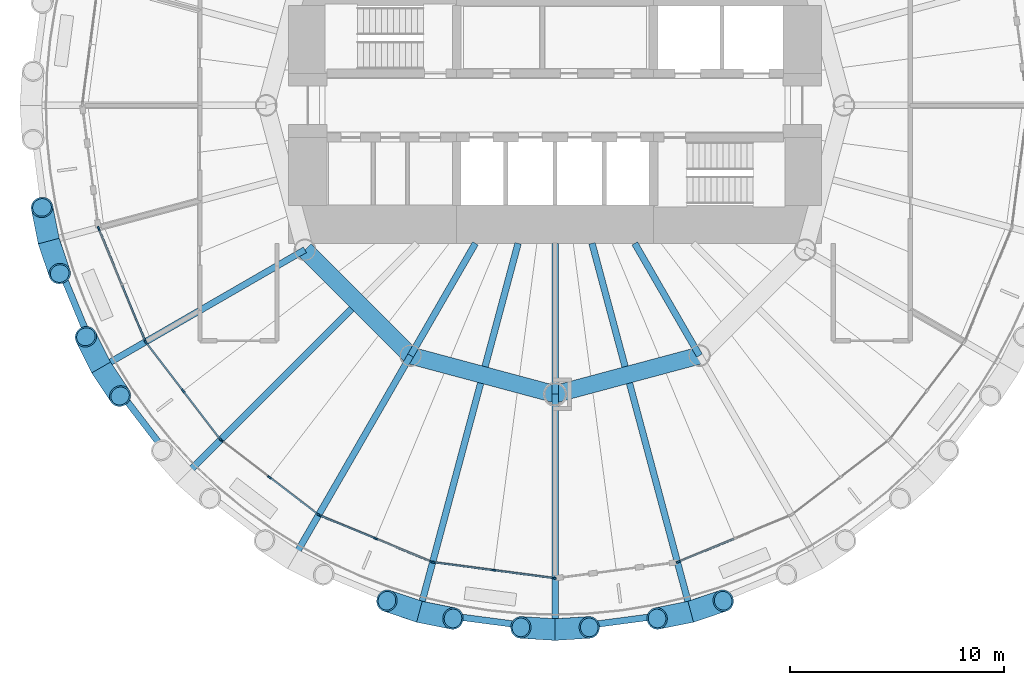
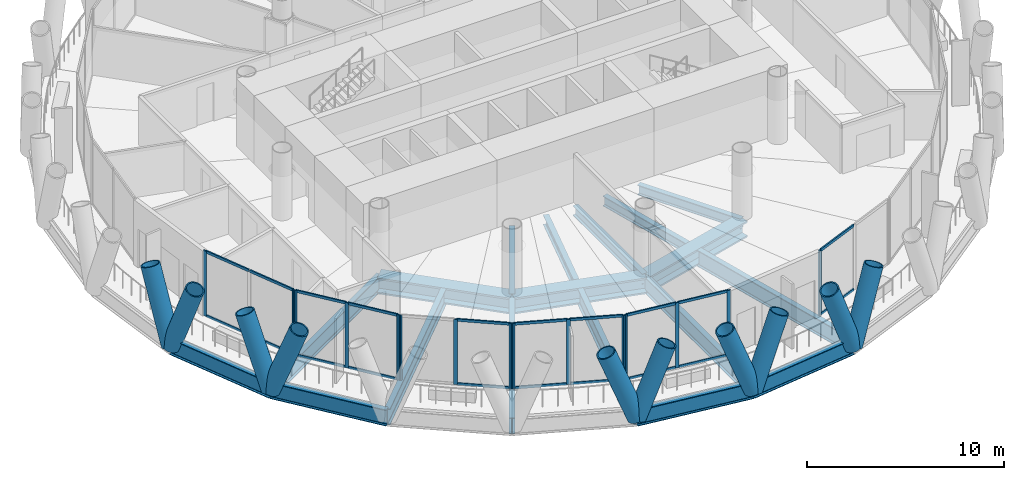
# One storey, part 2 of 15: 45 members, 18 beams, 6 elements without a shape of their own.
"""IFC4 building model written with IfcOpenShell, lengths in metres."""

from ifc_helpers import new_model, si_unit, direction, frame, origin, origin_2d, place, context, subcontext, project, spatial, rectangle, hollow_circle, i_section, extrude, material, material_profile, profile_set, type_object, element, aggregate, save


model = new_model("IFC4")

# Units and contexts
model_context = context("Model", 3, precision=1e-05, world=origin(), true_north=direction((0.0, 1.0)))
body_context = subcontext(model_context, "Body", "Model", "MODEL_VIEW")
ifc_project = project(units=[si_unit("LENGTHUNIT", "METRE"), si_unit("AREAUNIT", "SQUARE_METRE"), si_unit("VOLUMEUNIT", "CUBIC_METRE"), si_unit("PLANEANGLEUNIT", "RADIAN"), si_unit("MASSUNIT", "GRAM", prefix="KILO")], contexts=[model_context])

# Site, building, storey
site_placement = place(None, origin())
site = spatial("IfcSite", under=ifc_project, at=site_placement, CompositionType="ELEMENT")
building_placement = place(site_placement, origin())
building = spatial("IfcBuilding", under=site, at=building_placement, Name="Qaws Media Tower", CompositionType="ELEMENT")
storey_placement = place(building_placement, frame((0.0, 0.0, 177.199951171875)))
storey = spatial("IfcBuildingStorey", under=building, at=storey_placement, Name="L40", CompositionType="ELEMENT", Elevation=177.199951171875)

# Curtain wall, members
ifc_material_1 = material(Name="Aluminium and clear glass", Category="aluminium")
curtain_wall_type = type_object("IfcCurtainWallType", Name="Unitised curtain wall CW-B", PredefinedType="NOTDEFINED", material=ifc_material_1)
curtain_wall_1_placement = place(storey_placement, origin())
curtain_wall_1 = element("IfcCurtainWall", 1, at=curtain_wall_1_placement, inside=storey, type_object=curtain_wall_type, Name="CWB curtain wall L40-14", PredefinedType="NOTDEFINED")
ifc_material_2 = material(Name="Aluminium mullion", Category="aluminium")
ifc_material_profile_1 = material_profile(ifc_material_2, rectangle(XDim=0.080078125, YDim=0.199951171875, at=origin_2d()), Name="80x200")
ifc_profile_set_1 = profile_set([ifc_material_profile_1], Name="Aluminium mullion")
member_type_1 = type_object("IfcMemberType", Name="Curtain wall mullion 80x200", PredefinedType="MULLION", material=ifc_profile_set_1)
member_1_placement = place(storey_placement, frame((38.66845703125, 44.2431640625, 0.0), z_axis=(0.0, 0.0, 1.0), x_axis=(0.923879489284, 0.382683536724, 0.0)))
member_1 = element("IfcMember", 2, at=member_1_placement, type_object=member_type_1, Name="CWB mullion 1", PredefinedType="MULLION", context=body_context, shape_type="SweptSolid", body=[
    extrude(rectangle(XDim=0.080078125, YDim=0.199951171875, at=origin_2d()), origin(), (0.0, 0.0, 1.0), 4.0400390625),
])
member_2_placement = place(storey_placement, frame((40.845458984375, 38.987060546875, 0.0), z_axis=(0.0, 0.0, 1.0), x_axis=(0.923879489284, 0.382683536724, 0.0)))
member_2 = element("IfcMember", 3, at=member_2_placement, type_object=member_type_1, Name="CWB mullion 3", PredefinedType="MULLION", context=body_context, shape_type="SweptSolid", body=[
    extrude(rectangle(XDim=0.080078125, YDim=0.199951171875, at=origin_2d()), origin(), (0.0, 0.0, 1.0), 4.0400390625),
])

curtain_wall_2_placement = place(storey_placement, origin())
curtain_wall_2 = element("IfcCurtainWall", 4, at=curtain_wall_2_placement, inside=storey, type_object=curtain_wall_type, Name="CWB curtain wall L40-15", PredefinedType="NOTDEFINED")
member_3_placement = place(storey_placement, frame((40.88525390625, 38.918212890625, 0.0), z_axis=(0.0, 0.0, 1.0), x_axis=(0.793353395838, 0.608761356619, 0.0)))
member_3 = element("IfcMember", 5, at=member_3_placement, type_object=member_type_1, Name="CWB mullion 1", PredefinedType="MULLION", context=body_context, shape_type="SweptSolid", body=[
    extrude(rectangle(XDim=0.080078125, YDim=0.199951171875, at=origin_2d()), origin(), (0.0, 0.0, 1.0), 4.0400390625),
])
member_4_placement = place(storey_placement, frame((42.616943359375, 36.661376953125, 0.0), z_axis=(0.0, 0.0, 1.0), x_axis=(0.793353395838, 0.608761356619, 0.0)))
member_4 = element("IfcMember", 6, at=member_4_placement, type_object=member_type_1, Name="CWB mullion 2", PredefinedType="MULLION", context=body_context, shape_type="SweptSolid", body=[
    extrude(rectangle(XDim=0.080078125, YDim=0.199951171875, at=origin_2d()), origin(), (0.0, 0.0, 1.0), 4.0400390625),
])
member_5_placement = place(storey_placement, frame((44.3486328125, 34.40478515625, 0.0), z_axis=(0.0, 0.0, 1.0), x_axis=(0.793353395838, 0.608761356619, 0.0)))
member_5 = element("IfcMember", 7, at=member_5_placement, type_object=member_type_1, Name="CWB mullion 3", PredefinedType="MULLION", context=body_context, shape_type="SweptSolid", body=[
    extrude(rectangle(XDim=0.080078125, YDim=0.199951171875, at=origin_2d()), origin(), (0.0, 0.0, 1.0), 4.0400390625),
])

curtain_wall_3_placement = place(storey_placement, origin())
curtain_wall_3 = element("IfcCurtainWall", 8, at=curtain_wall_3_placement, inside=storey, type_object=curtain_wall_type, Name="CWB curtain wall L40-16", PredefinedType="NOTDEFINED")
member_6_placement = place(storey_placement, frame((44.40478515625, 34.3486328125, 0.0), z_axis=(0.0, 0.0, 1.0), x_axis=(0.608761356619, 0.793353395838, 0.0)))
member_6 = element("IfcMember", 9, at=member_6_placement, type_object=member_type_1, Name="CWB mullion 1", PredefinedType="MULLION", context=body_context, shape_type="SweptSolid", body=[
    extrude(rectangle(XDim=0.080078125, YDim=0.199951171875, at=origin_2d()), origin(), (0.0, 0.0, 1.0), 4.0400390625),
])
member_7_placement = place(storey_placement, frame((46.661376953125, 32.616943359375, 0.0), z_axis=(0.0, 0.0, 1.0), x_axis=(0.608761356619, 0.793353395838, 0.0)))
member_7 = element("IfcMember", 10, at=member_7_placement, type_object=member_type_1, Name="CWB mullion 2", PredefinedType="MULLION", context=body_context, shape_type="SweptSolid", body=[
    extrude(rectangle(XDim=0.080078125, YDim=0.199951171875, at=origin_2d()), origin(), (0.0, 0.0, 1.0), 4.0400390625),
])
member_8_placement = place(storey_placement, frame((48.918212890625, 30.88525390625, 0.0), z_axis=(0.0, 0.0, 1.0), x_axis=(0.608761356619, 0.793353395838, 0.0)))
member_8 = element("IfcMember", 11, at=member_8_placement, type_object=member_type_1, Name="CWB mullion 3", PredefinedType="MULLION", context=body_context, shape_type="SweptSolid", body=[
    extrude(rectangle(XDim=0.080078125, YDim=0.199951171875, at=origin_2d()), origin(), (0.0, 0.0, 1.0), 4.0400390625),
])

curtain_wall_4_placement = place(storey_placement, origin())
curtain_wall_4 = element("IfcCurtainWall", 12, at=curtain_wall_4_placement, inside=storey, type_object=curtain_wall_type, Name="CWB curtain wall L40-17", PredefinedType="NOTDEFINED")
member_9_placement = place(storey_placement, frame((48.987060546875, 30.845458984375, 0.0), z_axis=(0.0, 0.0, 1.0), x_axis=(0.382683536724, 0.923879489284, 0.0)))
member_9 = element("IfcMember", 13, at=member_9_placement, type_object=member_type_1, Name="CWB mullion 1", PredefinedType="MULLION", context=body_context, shape_type="SweptSolid", body=[
    extrude(rectangle(XDim=0.080078125, YDim=0.199951171875, at=origin_2d()), origin(), (0.0, 0.0, 1.0), 4.0400390625),
])
member_10_placement = place(storey_placement, frame((51.614990234375, 29.7568359375, 0.0), z_axis=(0.0, 0.0, 1.0), x_axis=(0.382683536724, 0.923879489284, 0.0)))
member_10 = element("IfcMember", 14, at=member_10_placement, type_object=member_type_1, Name="CWB mullion 2", PredefinedType="MULLION", context=body_context, shape_type="SweptSolid", body=[
    extrude(rectangle(XDim=0.080078125, YDim=0.199951171875, at=origin_2d()), origin(), (0.0, 0.0, 1.0), 4.0400390625),
])
member_11_placement = place(storey_placement, frame((54.2431640625, 28.66845703125, 0.0), z_axis=(0.0, 0.0, 1.0), x_axis=(0.382683536724, 0.923879489284, 0.0)))
member_11 = element("IfcMember", 15, at=member_11_placement, type_object=member_type_1, Name="CWB mullion 3", PredefinedType="MULLION", context=body_context, shape_type="SweptSolid", body=[
    extrude(rectangle(XDim=0.080078125, YDim=0.199951171875, at=origin_2d()), origin(), (0.0, 0.0, 1.0), 4.0400390625),
])

curtain_wall_5_placement = place(storey_placement, origin())
curtain_wall_5 = element("IfcCurtainWall", 16, at=curtain_wall_5_placement, inside=storey, type_object=curtain_wall_type, Name="CWB curtain wall L40-18", PredefinedType="NOTDEFINED")
member_12_placement = place(storey_placement, frame((54.31982421875, 28.647705078125, 0.0), z_axis=(0.0, 0.0, 1.0), x_axis=(0.130526149185, 0.991444867039, 0.0)))
member_12 = element("IfcMember", 17, at=member_12_placement, type_object=member_type_1, Name="CWB mullion 1", PredefinedType="MULLION", context=body_context, shape_type="SweptSolid", body=[
    extrude(rectangle(XDim=0.080078125, YDim=0.199951171875, at=origin_2d()), origin(), (0.0, 0.0, 1.0), 4.0400390625),
])
member_13_placement = place(storey_placement, frame((57.14013671875, 28.276611328125, 0.0), z_axis=(0.0, 0.0, 1.0), x_axis=(0.130526149185, 0.991444867039, 0.0)))
member_13 = element("IfcMember", 18, at=member_13_placement, type_object=member_type_1, Name="CWB mullion 2", PredefinedType="MULLION", context=body_context, shape_type="SweptSolid", body=[
    extrude(rectangle(XDim=0.080078125, YDim=0.199951171875, at=origin_2d()), origin(), (0.0, 0.0, 1.0), 4.0400390625),
])
member_14_placement = place(storey_placement, frame((59.96044921875, 27.9052734375, 0.0), z_axis=(0.0, 0.0, 1.0), x_axis=(0.130526149185, 0.991444867039, 0.0)))
member_14 = element("IfcMember", 19, at=member_14_placement, type_object=member_type_1, Name="CWB mullion 3", PredefinedType="MULLION", context=body_context, shape_type="SweptSolid", body=[
    extrude(rectangle(XDim=0.080078125, YDim=0.199951171875, at=origin_2d()), origin(), (0.0, 0.0, 1.0), 4.0400390625),
])

# Curtain wall, member
curtain_wall_6_placement = place(storey_placement, origin())
curtain_wall_6 = element("IfcCurtainWall", 20, at=curtain_wall_6_placement, inside=storey, type_object=curtain_wall_type, Name="CWB curtain wall L40-20", PredefinedType="NOTDEFINED")
member_15_placement = place(storey_placement, frame((65.7568359375, 28.66845703125, 0.0), z_axis=(0.0, 0.0, 1.0), x_axis=(-0.382683536724, 0.923879489284, 0.0)))
member_15 = element("IfcMember", 21, at=member_15_placement, type_object=member_type_1, Name="CWB mullion 1", PredefinedType="MULLION", context=body_context, shape_type="SweptSolid", body=[
    extrude(rectangle(XDim=0.080078125, YDim=0.199951171875, at=origin_2d()), origin(), (0.0, 0.0, 1.0), 4.0400390625),
])

# Member
ifc_material_3 = material(Name="Aluminium transom", Category="aluminium")
ifc_material_profile_2 = material_profile(ifc_material_3, rectangle(XDim=0.080078125, YDim=0.159912109375, at=origin_2d()), Name="80x160")
ifc_profile_set_2 = profile_set([ifc_material_profile_2], Name="Aluminium transom")
member_type_2 = type_object("IfcMemberType", Name="Curtain wall transom 80x160", PredefinedType="USERDEFINED", material=ifc_profile_set_2)
member_16_placement = place(storey_placement, frame((38.68359375, 44.206298828125, 0.0400390625), z_axis=(0.382720946689, -0.923863992677, 0.0), x_axis=(0.923863992677, 0.382720946689, 0.0)))
member_16 = element("IfcMember", 22, at=member_16_placement, type_object=member_type_2, Name="CWB transom 1.1", ObjectType="TRANSOM", PredefinedType="USERDEFINED", context=body_context, shape_type="SweptSolid", body=[
    extrude(rectangle(XDim=0.080078125, YDim=0.159912109375, at=origin_2d()), origin(), (0.0, 0.0, 1.0), 2.7646484375),
])

member_17_placement = place(storey_placement, frame((38.68359375, 44.206298828125, 4.0), z_axis=(0.382720946689, -0.923863992677, 0.0), x_axis=(0.923863992677, 0.382720946689, 0.0)))
member_17 = element("IfcMember", 23, at=member_17_placement, type_object=member_type_2, Name="CWB transom 1.2", ObjectType="TRANSOM", PredefinedType="USERDEFINED", context=body_context, shape_type="SweptSolid", body=[
    extrude(rectangle(XDim=0.080078125, YDim=0.159912109375, at=origin_2d()), origin(), (0.0, 0.0, 1.0), 2.7646484375),
])

member_18_placement = place(storey_placement, frame((39.772216796875, 41.578125, 0.0400390625), z_axis=(0.382720946689, -0.923863992677, 0.0), x_axis=(0.923863992677, 0.382720946689, 0.0)))
member_18 = element("IfcMember", 24, at=member_18_placement, type_object=member_type_2, Name="CWB transom 2.1", ObjectType="TRANSOM", PredefinedType="USERDEFINED", context=body_context, shape_type="SweptSolid", body=[
    extrude(rectangle(XDim=0.080078125, YDim=0.159912109375, at=origin_2d()), origin(), (0.0, 0.0, 1.0), 2.7646484375),
])

member_19_placement = place(storey_placement, frame((39.772216796875, 41.578125, 4.0), z_axis=(0.382720946689, -0.923863992677, 0.0), x_axis=(0.923863992677, 0.382720946689, 0.0)))
member_19 = element("IfcMember", 25, at=member_19_placement, type_object=member_type_2, Name="CWB transom 2.2", ObjectType="TRANSOM", PredefinedType="USERDEFINED", context=body_context, shape_type="SweptSolid", body=[
    extrude(rectangle(XDim=0.080078125, YDim=0.159912109375, at=origin_2d()), origin(), (0.0, 0.0, 1.0), 2.7646484375),
])

aggregate(curtain_wall_1, [member_1, member_2, member_16, member_17, member_18, member_19])

member_20_placement = place(storey_placement, frame((40.909423828125, 38.886474609375, 0.0400390625), z_axis=(0.608780011624, -0.793339081003, 0.0), x_axis=(0.793339081003, 0.608780011624, 0.0)))
member_20 = element("IfcMember", 26, at=member_20_placement, type_object=member_type_2, Name="CWB transom 1.1", ObjectType="TRANSOM", PredefinedType="USERDEFINED", context=body_context, shape_type="SweptSolid", body=[
    extrude(rectangle(XDim=0.080078125, YDim=0.159912109375, at=origin_2d()), origin(), (0.0, 0.0, 1.0), 2.7646484375),
])

member_21_placement = place(storey_placement, frame((40.909423828125, 38.886474609375, 4.0), z_axis=(0.608780011624, -0.793339081003, 0.0), x_axis=(0.793339081003, 0.608780011624, 0.0)))
member_21 = element("IfcMember", 27, at=member_21_placement, type_object=member_type_2, Name="CWB transom 1.2", ObjectType="TRANSOM", PredefinedType="USERDEFINED", context=body_context, shape_type="SweptSolid", body=[
    extrude(rectangle(XDim=0.080078125, YDim=0.159912109375, at=origin_2d()), origin(), (0.0, 0.0, 1.0), 2.7646484375),
])

member_22_placement = place(storey_placement, frame((42.641357421875, 36.629638671875, 0.0400390625), z_axis=(0.608767080394, -0.793349003798, 0.0), x_axis=(0.793349003798, 0.608767080394, 0.0)))
member_22 = element("IfcMember", 28, at=member_22_placement, type_object=member_type_2, Name="CWB transom 2.1", ObjectType="TRANSOM", PredefinedType="USERDEFINED", context=body_context, shape_type="SweptSolid", body=[
    extrude(rectangle(XDim=0.080078125, YDim=0.159912109375, at=origin_2d()), origin(), (0.0, 0.0, 1.0), 2.764404296875),
])

member_23_placement = place(storey_placement, frame((42.641357421875, 36.629638671875, 4.0), z_axis=(0.608767080394, -0.793349003798, 0.0), x_axis=(0.793349003798, 0.608767080394, 0.0)))
member_23 = element("IfcMember", 29, at=member_23_placement, type_object=member_type_2, Name="CWB transom 2.2", ObjectType="TRANSOM", PredefinedType="USERDEFINED", context=body_context, shape_type="SweptSolid", body=[
    extrude(rectangle(XDim=0.080078125, YDim=0.159912109375, at=origin_2d()), origin(), (0.0, 0.0, 1.0), 2.764404296875),
])

aggregate(curtain_wall_2, [member_3, member_4, member_5, member_20, member_21, member_22, member_23])

member_24_placement = place(storey_placement, frame((46.693115234375, 32.592529296875, 0.0400390625), z_axis=(0.793339081003, -0.608780011624, 0.0), x_axis=(0.608780011624, 0.793339081003, 0.0)))
member_24 = element("IfcMember", 30, at=member_24_placement, type_object=member_type_2, Name="CWB transom 2.1", ObjectType="TRANSOM", PredefinedType="USERDEFINED", context=body_context, shape_type="SweptSolid", body=[
    extrude(rectangle(XDim=0.080078125, YDim=0.159912109375, at=origin_2d()), origin(), (0.0, 0.0, 1.0), 2.7646484375),
])

member_25_placement = place(storey_placement, frame((46.693115234375, 32.592529296875, 4.0), z_axis=(0.793339081003, -0.608780011624, 0.0), x_axis=(0.608780011624, 0.793339081003, 0.0)))
member_25 = element("IfcMember", 31, at=member_25_placement, type_object=member_type_2, Name="CWB transom 2.2", ObjectType="TRANSOM", PredefinedType="USERDEFINED", context=body_context, shape_type="SweptSolid", body=[
    extrude(rectangle(XDim=0.080078125, YDim=0.159912109375, at=origin_2d()), origin(), (0.0, 0.0, 1.0), 2.7646484375),
])

aggregate(curtain_wall_3, [member_6, member_7, member_8, member_24, member_25])

member_26_placement = place(storey_placement, frame((49.02392578125, 30.830322265625, 0.0400390625), z_axis=(0.923863992677, -0.382720946689, 0.0), x_axis=(0.382720946689, 0.923863992677, 0.0)))
member_26 = element("IfcMember", 32, at=member_26_placement, type_object=member_type_2, Name="CWB transom 1.1", ObjectType="TRANSOM", PredefinedType="USERDEFINED", context=body_context, shape_type="SweptSolid", body=[
    extrude(rectangle(XDim=0.080078125, YDim=0.159912109375, at=origin_2d()), origin(), (0.0, 0.0, 1.0), 2.7646484375),
])

member_27_placement = place(storey_placement, frame((49.02392578125, 30.830322265625, 4.0), z_axis=(0.923863992677, -0.382720946689, 0.0), x_axis=(0.382720946689, 0.923863992677, 0.0)))
member_27 = element("IfcMember", 33, at=member_27_placement, type_object=member_type_2, Name="CWB transom 1.2", ObjectType="TRANSOM", PredefinedType="USERDEFINED", context=body_context, shape_type="SweptSolid", body=[
    extrude(rectangle(XDim=0.080078125, YDim=0.159912109375, at=origin_2d()), origin(), (0.0, 0.0, 1.0), 2.7646484375),
])

member_28_placement = place(storey_placement, frame((51.652099609375, 29.74169921875, 0.0400390625), z_axis=(0.923863992677, -0.382720946689, 0.0), x_axis=(0.382720946689, 0.923863992677, 0.0)))
member_28 = element("IfcMember", 34, at=member_28_placement, type_object=member_type_2, Name="CWB transom 2.1", ObjectType="TRANSOM", PredefinedType="USERDEFINED", context=body_context, shape_type="SweptSolid", body=[
    extrude(rectangle(XDim=0.080078125, YDim=0.159912109375, at=origin_2d()), origin(), (0.0, 0.0, 1.0), 2.7646484375),
])

member_29_placement = place(storey_placement, frame((51.652099609375, 29.74169921875, 4.0), z_axis=(0.923863992677, -0.382720946689, 0.0), x_axis=(0.382720946689, 0.923863992677, 0.0)))
member_29 = element("IfcMember", 35, at=member_29_placement, type_object=member_type_2, Name="CWB transom 2.2", ObjectType="TRANSOM", PredefinedType="USERDEFINED", context=body_context, shape_type="SweptSolid", body=[
    extrude(rectangle(XDim=0.080078125, YDim=0.159912109375, at=origin_2d()), origin(), (0.0, 0.0, 1.0), 2.7646484375),
])

aggregate(curtain_wall_4, [member_9, member_10, member_11, member_26, member_27, member_28, member_29])

member_30_placement = place(storey_placement, frame((54.359375, 28.642578125, 0.0400390625), z_axis=(0.991445576644, -0.130520759088, 0.0), x_axis=(0.130520759088, 0.991445576644, 0.0)))
member_30 = element("IfcMember", 36, at=member_30_placement, type_object=member_type_2, Name="CWB transom 1.1", ObjectType="TRANSOM", PredefinedType="USERDEFINED", context=body_context, shape_type="SweptSolid", body=[
    extrude(rectangle(XDim=0.080078125, YDim=0.159912109375, at=origin_2d()), origin(), (0.0, 0.0, 1.0), 2.7646484375),
])

member_31_placement = place(storey_placement, frame((54.359375, 28.642578125, 4.0), z_axis=(0.991445576644, -0.130520759088, 0.0), x_axis=(0.130520759088, 0.991445576644, 0.0)))
member_31 = element("IfcMember", 37, at=member_31_placement, type_object=member_type_2, Name="CWB transom 1.2", ObjectType="TRANSOM", PredefinedType="USERDEFINED", context=body_context, shape_type="SweptSolid", body=[
    extrude(rectangle(XDim=0.080078125, YDim=0.159912109375, at=origin_2d()), origin(), (0.0, 0.0, 1.0), 2.7646484375),
])

member_32_placement = place(storey_placement, frame((57.1796875, 28.271240234375, 0.0400390625), z_axis=(0.991445576644, -0.130520759088, 0.0), x_axis=(0.130520759088, 0.991445576644, 0.0)))
member_32 = element("IfcMember", 38, at=member_32_placement, type_object=member_type_2, Name="CWB transom 2.1", ObjectType="TRANSOM", PredefinedType="USERDEFINED", context=body_context, shape_type="SweptSolid", body=[
    extrude(rectangle(XDim=0.080078125, YDim=0.159912109375, at=origin_2d()), origin(), (0.0, 0.0, 1.0), 2.7646484375),
])

member_33_placement = place(storey_placement, frame((57.1796875, 28.271240234375, 4.0), z_axis=(0.991445576644, -0.130520759088, 0.0), x_axis=(0.130520759088, 0.991445576644, 0.0)))
member_33 = element("IfcMember", 39, at=member_33_placement, type_object=member_type_2, Name="CWB transom 2.2", ObjectType="TRANSOM", PredefinedType="USERDEFINED", context=body_context, shape_type="SweptSolid", body=[
    extrude(rectangle(XDim=0.080078125, YDim=0.159912109375, at=origin_2d()), origin(), (0.0, 0.0, 1.0), 2.7646484375),
])

aggregate(curtain_wall_5, [member_12, member_13, member_14, member_30, member_31, member_32, member_33])

member_34_placement = place(storey_placement, frame((65.793701171875, 28.68359375, 0.0400390625), z_axis=(0.923863992677, 0.382720946689, 0.0), x_axis=(-0.382720946689, 0.923863992677, 0.0)))
member_34 = element("IfcMember", 40, at=member_34_placement, type_object=member_type_2, Name="CWB transom 1.1", ObjectType="TRANSOM", PredefinedType="USERDEFINED", context=body_context, shape_type="SweptSolid", body=[
    extrude(rectangle(XDim=0.080078125, YDim=0.159912109375, at=origin_2d()), origin(), (0.0, 0.0, 1.0), 2.7646484375),
])

member_35_placement = place(storey_placement, frame((65.793701171875, 28.68359375, 4.0), z_axis=(0.923863992677, 0.382720946689, 0.0), x_axis=(-0.382720946689, 0.923863992677, 0.0)))
member_35 = element("IfcMember", 41, at=member_35_placement, type_object=member_type_2, Name="CWB transom 1.2", ObjectType="TRANSOM", PredefinedType="USERDEFINED", context=body_context, shape_type="SweptSolid", body=[
    extrude(rectangle(XDim=0.080078125, YDim=0.159912109375, at=origin_2d()), origin(), (0.0, 0.0, 1.0), 2.7646484375),
])

aggregate(curtain_wall_6, [member_15, member_34, member_35])

# Members
ifc_material_4 = material(Name="Steel S460", Category="steel")
ifc_material_profile_3 = material_profile(ifc_material_4, hollow_circle(Radius=0.508056640625, WallThickness=0.070068359375, at=origin_2d()), Name="CHS 1016x70")
ifc_profile_set_3 = profile_set([ifc_material_profile_3], Name="Steel S460")
member_type_3 = type_object("IfcMemberType", Name="Diagrid member CHS 1016x70", PredefinedType="USERDEFINED", material=ifc_profile_set_3)
for number, where, z_axis, x_axis, name in (
    (42, (36.334716796875, 43.658935546875, -0.6640625), (0.114101343313, -0.33768784042, 0.93431675886), (0.947380274434, 0.320110317881, 0.0), "DG3 diagrid L40 A14"),
    (43, (36.334716796875, 43.658935546875, -0.6640625), (-0.070057919061, 0.349474968341, 0.934322821342), (-0.98049267216, -0.196555640573, 0.0), "DG3 diagrid L40 B14"),
):
    element("IfcMember", number, at=place(storey_placement, frame(where, z_axis=z_axis, x_axis=x_axis)), inside=storey, type_object=member_type_3, Name=name, ObjectType="DIAGRID", PredefinedType="USERDEFINED", context=body_context, shape_type="SweptSolid", body=[
        extrude(hollow_circle(Radius=0.508056640625, WallThickness=0.070068359375, at=origin_2d()), origin(), (0.0, 0.0, 1.0), 4.495361328125),
    ])
member_36_placement = place(storey_placement, frame((38.782470703125, 37.75, -0.6640625), z_axis=(0.197572419648, -0.296684477333, 0.934314433103), x_axis=(0.832331463576, 0.554278210596, 0.0)))
element("IfcMember", 44, at=member_36_placement, inside=storey, type_object=member_type_3, Name="DG3 diagrid L40 A15", ObjectType="DIAGRID", PredefinedType="USERDEFINED", context=body_context, shape_type="SweptSolid", body=[
    extrude(hollow_circle(Radius=0.508056640625, WallThickness=0.070068359375, at=origin_2d()), origin(), (0.0, 0.0, 1.0), 4.49560546875),
])
for number, where, z_axis, x_axis, name in (
    (45, (38.782470703125, 37.75, -0.6640625), (-0.158145235439, 0.319440341639, 0.934316837396), (-0.896187594235, -0.44367532717, 0.0), "DG3 diagrid L40 B15"),
    (46, (53.658935546875, 26.334716796875, -0.6640625), (0.349474968341, -0.070057919061, 0.934322821342), (0.196555640573, 0.98049267216, 0.0), "DG3 diagrid L40 A18"),
    (47, (53.658935546875, 26.334716796875, -0.6640625), (-0.33768784042, 0.114101343313, 0.93431675886), (-0.320110317881, -0.947380274434, 0.0), "DG3 diagrid L40 B18"),
    (48, (60.0, 25.5, -0.6640625), (0.355717957348, 0.022755087653, 0.934316295912), (-0.063838981491, 0.997960211853, 0.0), "DG3 diagrid L40 A19"),
    (49, (60.0, 25.5, -0.6640625), (-0.355717957348, 0.022755087653, 0.934316295912), (-0.063838981491, -0.997960211853, 0.0), "DG3 diagrid L40 B19"),
    (50, (66.341064453125, 26.334716796875, -0.6640625), (0.33768784042, 0.114101343313, 0.93431675886), (-0.320110317881, 0.947380274434, 0.0), "DG3 diagrid L40 A20"),
    (51, (66.341064453125, 26.334716796875, -0.6640625), (-0.349474968341, -0.070057919061, 0.934322821342), (0.196555640573, -0.98049267216, 0.0), "DG3 diagrid L40 B20"),
):
    element("IfcMember", number, at=place(storey_placement, frame(where, z_axis=z_axis, x_axis=x_axis)), inside=storey, type_object=member_type_3, Name=name, ObjectType="DIAGRID", PredefinedType="USERDEFINED", context=body_context, shape_type="SweptSolid", body=[
        extrude(hollow_circle(Radius=0.508056640625, WallThickness=0.070068359375, at=origin_2d()), origin(), (0.0, 0.0, 1.0), 4.495361328125),
    ])

# Beams
ifc_material_5 = material(Name="Steel S460", Category="steel")
ifc_material_profile_4 = material_profile(ifc_material_5, i_section(OverallWidth=0.302001953125, OverallDepth=1.008056640625, WebThickness=0.02099609375, FlangeThickness=0.0400390625, FilletRadius=0.030029296875, at=origin_2d()), Name="HE 1000 M")
ifc_profile_set_4 = profile_set([ifc_material_profile_4], Name="Steel S460")
beam_type_1 = type_object("IfcBeamType", Name="Edge ring beam HE 1000 M", PredefinedType="BEAM", material=ifc_profile_set_4)
for number, where, z_axis, x_axis, name in (
    (52, (36.334716796875, 43.658935546875, -0.6640625), (0.382709143949, -0.923868882006, 0.0), (0.923868882006, 0.382709143949, 0.0), "RB3 edge ring beam L40-14"),
    (53, (38.782470703125, 37.75, -0.6640625), (0.60873442055, -0.79337406388, 0.0), (0.79337406388, 0.60873442055, 0.0), "RB3 edge ring beam L40-15"),
    (54, (53.658935546875, 26.334716796875, -0.6640625), (0.991446888172, -0.130510796237, 0.0), (0.130510796237, 0.991446888172, 0.0), "RB3 edge ring beam L40-18"),
    (55, (60.0, 25.5, -0.6640625), (0.991446888172, 0.130510796237, 0.0), (-0.130510796237, 0.991446888172, 0.0), "RB3 edge ring beam L40-19"),
):
    element("IfcBeam", number, at=place(storey_placement, frame(where, z_axis=z_axis, x_axis=x_axis)), inside=storey, type_object=beam_type_1, Name=name, PredefinedType="BEAM", context=body_context, shape_type="SweptSolid", body=[
        extrude(i_section(OverallWidth=0.302001953125, OverallDepth=1.008056640625, WebThickness=0.02099609375, FlangeThickness=0.0400390625, FilletRadius=0.030029296875, at=origin_2d()), origin(), (0.0, 0.0, 1.0), 6.395751953125),
    ])
ifc_material_6 = material(Name="Steel S460", Category="steel")
ifc_material_profile_5 = material_profile(ifc_material_6, i_section(OverallWidth=0.800048828125, OverallDepth=1.0, WebThickness=0.0400390625, FlangeThickness=0.10009765625, at=origin_2d()), Name="PG 1000x800")
ifc_profile_set_5 = profile_set([ifc_material_profile_5], Name="Steel S460")
beam_type_2 = type_object("IfcBeamType", Name="Inner ring girder PG 1000x800", PredefinedType="BEAM", material=ifc_profile_set_5)
beam_1_placement = place(storey_placement, frame((48.30859375, 43.25, -0.659912109375), z_axis=(0.707106781187, -0.707106781187, 0.0), x_axis=(0.707106781187, 0.707106781187, 0.0)))
element("IfcBeam", 56, at=beam_1_placement, inside=storey, type_object=beam_type_2, Name="B3 inner ring beam L40 I08-I09", PredefinedType="BEAM", context=body_context, shape_type="SweptSolid", body=[
    extrude(i_section(OverallWidth=0.800048828125, OverallDepth=1.0, WebThickness=0.0400390625, FlangeThickness=0.10009765625, at=origin_2d()), origin(), (0.0, 0.0, 1.0), 6.98828125),
])
for number, where, z_axis, x_axis, name in (
    (57, (53.25, 38.30859375, -0.659912109375), (0.965928090778, -0.258810593767, 0.0), (0.258810593767, 0.965928090778, 0.0), "B3 inner ring beam L40 I09-I10"),
    (58, (60.0, 36.5, -0.659912109375), (0.965928090778, 0.258810593767, 0.0), (-0.258810593767, 0.965928090778, 0.0), "B3 inner ring beam L40 I10-I11"),
):
    element("IfcBeam", number, at=place(storey_placement, frame(where, z_axis=z_axis, x_axis=x_axis)), inside=storey, type_object=beam_type_2, Name=name, PredefinedType="BEAM", context=body_context, shape_type="SweptSolid", body=[
        extrude(i_section(OverallWidth=0.800048828125, OverallDepth=1.0, WebThickness=0.0400390625, FlangeThickness=0.10009765625, at=origin_2d()), origin(), (0.0, 0.0, 1.0), 6.988037109375),
    ])
ifc_material_7 = material(Name="Steel S355", Category="steel")
ifc_material_profile_6 = material_profile(ifc_material_7, i_section(OverallWidth=0.302001953125, OverallDepth=1.008056640625, WebThickness=0.02099609375, FlangeThickness=0.0400390625, FilletRadius=0.030029296875, at=origin_2d()), Name="HE 1000 M")
ifc_profile_set_6 = profile_set([ifc_material_profile_6], Name="Steel S355")
beam_type_3 = type_object("IfcBeamType", Name="Radial beam HE 1000 M", PredefinedType="BEAM", material=ifc_profile_set_6)
beam_2_placement = place(storey_placement, frame((48.30859375, 43.25, -0.6640625), z_axis=(-0.866021849293, -0.50000615651, 0.0), x_axis=(0.50000615651, -0.866021849293, 0.0)))
element("IfcBeam", 59, at=beam_2_placement, inside=storey, type_object=beam_type_3, Name="B1 radial beam L40 15", PredefinedType="BEAM", context=body_context, shape_type="SweptSolid", body=[
    extrude(i_section(OverallWidth=0.302001953125, OverallDepth=1.008056640625, WebThickness=0.02099609375, FlangeThickness=0.0400390625, FilletRadius=0.030029296875, at=origin_2d()), origin(), (0.0, 0.0, 1.0), 10.999755859375),
])
beam_3_placement = place(storey_placement, frame((50.49658203125, 40.49658203125, -0.6640625), z_axis=(-0.707106781187, -0.707106781187, 0.0), x_axis=(0.707106781187, -0.707106781187, 0.0)))
element("IfcBeam", 60, at=beam_3_placement, inside=storey, type_object=beam_type_3, Name="B1 radial beam L40 16", PredefinedType="BEAM", context=body_context, shape_type="SweptSolid", body=[
    extrude(i_section(OverallWidth=0.302001953125, OverallDepth=1.008056640625, WebThickness=0.02099609375, FlangeThickness=0.0400390625, FilletRadius=0.030029296875, at=origin_2d()), origin(), (0.0, 0.0, 1.0), 11.060302734375),
])
beam_4_placement = place(storey_placement, frame((53.25, 38.30859375, -0.6640625), z_axis=(-0.50000615651, -0.866021849293, 0.0), x_axis=(0.866021849293, -0.50000615651, 0.0)))
element("IfcBeam", 61, at=beam_4_placement, inside=storey, type_object=beam_type_3, Name="B1 radial beam L40 17", PredefinedType="BEAM", context=body_context, shape_type="SweptSolid", body=[
    extrude(i_section(OverallWidth=0.302001953125, OverallDepth=1.008056640625, WebThickness=0.02099609375, FlangeThickness=0.0400390625, FilletRadius=0.030029296875, at=origin_2d()), origin(), (0.0, 0.0, 1.0), 10.999755859375),
])
beam_5_placement = place(storey_placement, frame((56.521484375, 37.01806640625, -0.6640625), z_axis=(-0.258815158562, -0.965926867676, 0.0), x_axis=(0.965926867676, -0.258815158562, 0.0)))
element("IfcBeam", 62, at=beam_5_placement, inside=storey, type_object=beam_type_3, Name="B1 radial beam L40 18", PredefinedType="BEAM", context=body_context, shape_type="SweptSolid", body=[
    extrude(i_section(OverallWidth=0.302001953125, OverallDepth=1.008056640625, WebThickness=0.02099609375, FlangeThickness=0.0400390625, FilletRadius=0.030029296875, at=origin_2d()), origin(), (0.0, 0.0, 1.0), 11.060302734375),
])
beam_6_placement = place(storey_placement, frame((60.0, 36.5, -0.6640625), z_axis=(0.0, -1.0, 0.0), x_axis=(1.0, 0.0, 0.0)))
element("IfcBeam", 63, at=beam_6_placement, inside=storey, type_object=beam_type_3, Name="B1 radial beam L40 19", PredefinedType="BEAM", context=body_context, shape_type="SweptSolid", body=[
    extrude(i_section(OverallWidth=0.302001953125, OverallDepth=1.008056640625, WebThickness=0.02099609375, FlangeThickness=0.0400390625, FilletRadius=0.030029296875, at=origin_2d()), origin(), (0.0, 0.0, 1.0), 11.0),
])
beam_7_placement = place(storey_placement, frame((63.478515625, 37.01806640625, -0.6640625), z_axis=(0.258815158562, -0.965926867676, 0.0), x_axis=(0.965926867676, 0.258815158562, 0.0)))
element("IfcBeam", 64, at=beam_7_placement, inside=storey, type_object=beam_type_3, Name="B1 radial beam L40 20", PredefinedType="BEAM", context=body_context, shape_type="SweptSolid", body=[
    extrude(i_section(OverallWidth=0.302001953125, OverallDepth=1.008056640625, WebThickness=0.02099609375, FlangeThickness=0.0400390625, FilletRadius=0.030029296875, at=origin_2d()), origin(), (0.0, 0.0, 1.0), 11.060302734375),
])
ifc_material_8 = material(Name="Steel S355", Category="steel")
ifc_material_profile_7 = material_profile(ifc_material_8, i_section(OverallWidth=0.304931640625, OverallDepth=0.6201171875, WebThickness=0.02099609375, FlangeThickness=0.0400390625, FilletRadius=0.027099609375, at=origin_2d()), Name="HE 600 M")
ifc_profile_set_7 = profile_set([ifc_material_profile_7], Name="Steel S355")
beam_type_4 = type_object("IfcBeamType", Name="Radial beam HE 600 M, core side", PredefinedType="BEAM", material=ifc_profile_set_7)
beam_8_placement = place(storey_placement, frame((56.276123046875, 43.550048828125, -0.469970703125), z_axis=(-0.499995978368, -0.866027725662, 0.0), x_axis=(0.866027725662, -0.499995978368, 0.0)))
element("IfcBeam", 65, at=beam_8_placement, inside=storey, type_object=beam_type_4, Name="B2 radial beam L40 17", PredefinedType="BEAM", context=body_context, shape_type="SweptSolid", body=[
    extrude(i_section(OverallWidth=0.304931640625, OverallDepth=0.6201171875, WebThickness=0.02099609375, FlangeThickness=0.0400390625, FilletRadius=0.027099609375, at=origin_2d()), origin(), (0.0, 0.0, 1.0), 6.05224609375),
])
beam_9_placement = place(storey_placement, frame((58.271728515625, 43.550048828125, -0.469970703125), z_axis=(-0.258822046006, -0.965925022194, 0.0), x_axis=(0.965925022194, -0.258822046006, 0.0)))
element("IfcBeam", 66, at=beam_9_placement, inside=storey, type_object=beam_type_4, Name="B2 radial beam L40 18", PredefinedType="BEAM", context=body_context, shape_type="SweptSolid", body=[
    extrude(i_section(OverallWidth=0.304931640625, OverallDepth=0.6201171875, WebThickness=0.02099609375, FlangeThickness=0.0400390625, FilletRadius=0.027099609375, at=origin_2d()), origin(), (0.0, 0.0, 1.0), 5.96240234375),
])
beam_10_placement = place(storey_placement, frame((60.0, 43.550048828125, -0.469970703125), z_axis=(0.0, -1.0, 0.0), x_axis=(1.0, 0.0, 0.0)))
element("IfcBeam", 67, at=beam_10_placement, inside=storey, type_object=beam_type_4, Name="B2 radial beam L40 19", PredefinedType="BEAM", context=body_context, shape_type="SweptSolid", body=[
    extrude(i_section(OverallWidth=0.304931640625, OverallDepth=0.6201171875, WebThickness=0.02099609375, FlangeThickness=0.0400390625, FilletRadius=0.027099609375, at=origin_2d()), origin(), (0.0, 0.0, 1.0), 7.050048828125),
])
beam_11_placement = place(storey_placement, frame((61.728271484375, 43.550048828125, -0.469970703125), z_axis=(0.258822046006, -0.965925022194, 0.0), x_axis=(0.965925022194, 0.258822046006, 0.0)))
element("IfcBeam", 68, at=beam_11_placement, inside=storey, type_object=beam_type_4, Name="B2 radial beam L40 20", PredefinedType="BEAM", context=body_context, shape_type="SweptSolid", body=[
    extrude(i_section(OverallWidth=0.304931640625, OverallDepth=0.6201171875, WebThickness=0.02099609375, FlangeThickness=0.0400390625, FilletRadius=0.027099609375, at=origin_2d()), origin(), (0.0, 0.0, 1.0), 5.96240234375),
])
beam_12_placement = place(storey_placement, frame((63.723876953125, 43.550048828125, -0.469970703125), z_axis=(0.499995978368, -0.866027725662, 0.0), x_axis=(0.866027725662, 0.499995978368, 0.0)))
element("IfcBeam", 69, at=beam_12_placement, inside=storey, type_object=beam_type_4, Name="B2 radial beam L40 21", PredefinedType="BEAM", context=body_context, shape_type="SweptSolid", body=[
    extrude(i_section(OverallWidth=0.304931640625, OverallDepth=0.6201171875, WebThickness=0.02099609375, FlangeThickness=0.0400390625, FilletRadius=0.027099609375, at=origin_2d()), origin(), (0.0, 0.0, 1.0), 6.05224609375),
])

save(model, "model.ifc")
